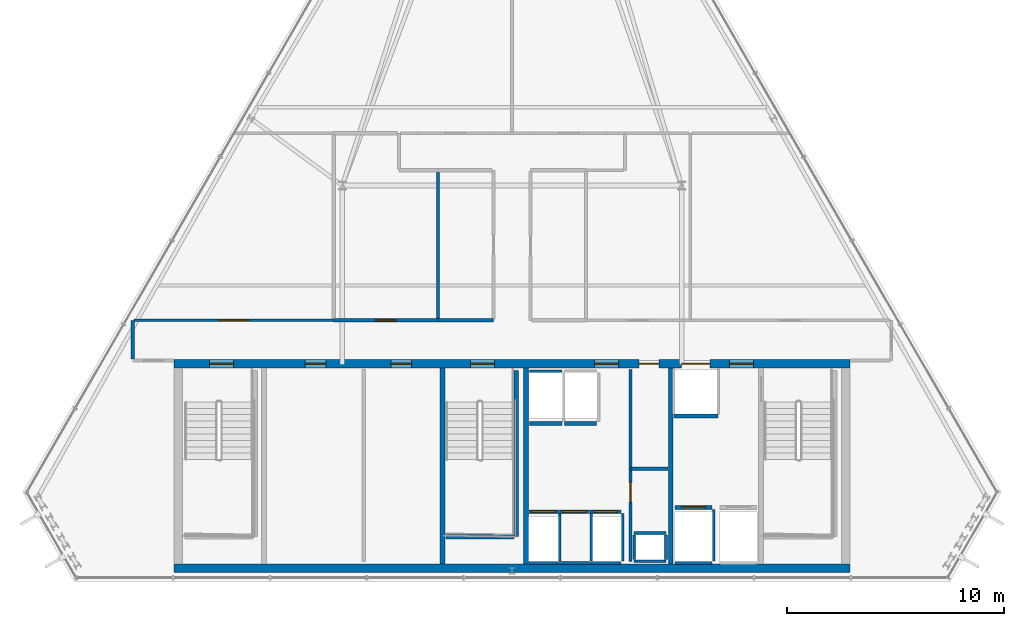
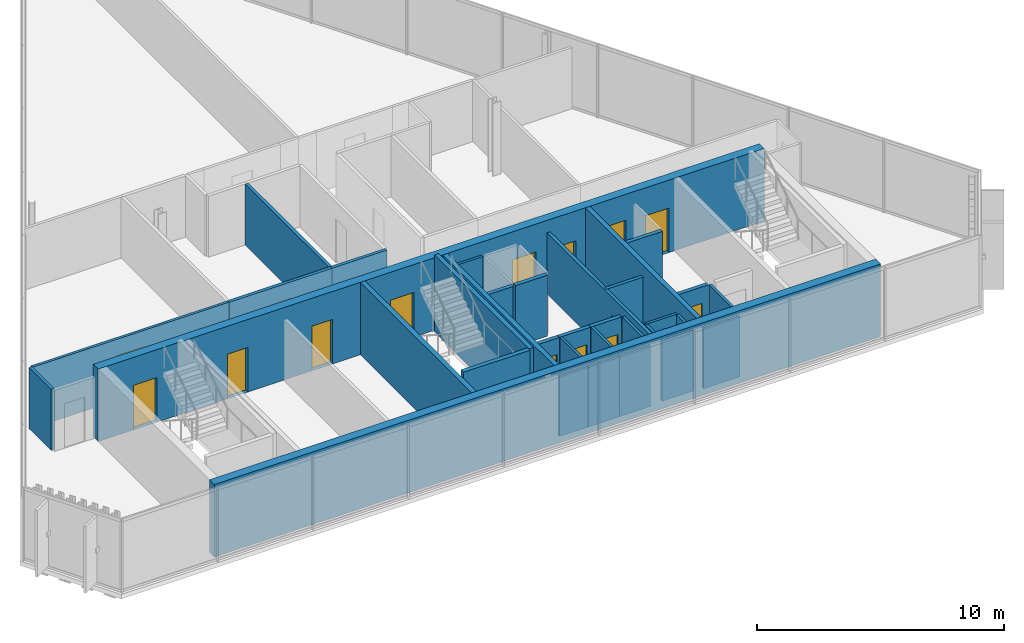
# One storey, part 27 of 32: 34 walls, 15 doors, 15 openings.
"""IFC4 building model written with IfcOpenShell, lengths in metres."""

from ifc_helpers import new_model, si_unit, direction, frame, frame_2d, origin, place, context, subcontext, project, spatial, rectangle, extrude, material, layer, layer_set, type_object, element, fill, save


model = new_model("IFC4")

# Units and contexts
model_context = context("Model", 3, precision=1e-05, world=origin(), true_north=direction((0.0, 1.0)))
body_context = subcontext(model_context, "Body", "Model", "MODEL_VIEW")
ifc_project = project(units=[si_unit("LENGTHUNIT", "METRE"), si_unit("AREAUNIT", "SQUARE_METRE"), si_unit("VOLUMEUNIT", "CUBIC_METRE"), si_unit("PLANEANGLEUNIT", "RADIAN"), si_unit("MASSUNIT", "GRAM", prefix="KILO")], contexts=[model_context])

# Site, building, storey
site_placement = place(None, origin())
site = spatial("IfcSite", under=ifc_project, at=site_placement, CompositionType="ELEMENT")
building_placement = place(site_placement, origin())
building = spatial("IfcBuilding", under=site, at=building_placement, Name="Ndaravel Arena Tower", CompositionType="ELEMENT")
storey_placement = place(building_placement, frame((0.0, 0.0, 287.10009765625)))
storey = spatial("IfcBuildingStorey", under=building, at=storey_placement, Name="L70", CompositionType="ELEMENT", Elevation=287.10009765625)

# Wall, opening, door
ifc_material_1 = material(Name="Gypsum", Category="gypsum")
ifc_layer_1 = layer(ifc_material_1, 0.14990234375)
ifc_layer_set_1 = layer_set([ifc_layer_1], Name="Gypsum")
wall_type_1 = type_object("IfcWallType", Name="WALL-COMP-150", PredefinedType="PARTITIONING", material=ifc_layer_set_1)
wall_1_placement = place(storey_placement, frame((47.449951171875, 5.89990234375, 0.0), z_axis=(0.0, 0.0, 1.0), x_axis=(0.0, 1.0, 0.0)))
wall_1 = element("IfcWall", 1, at=wall_1_placement, inside=storey, type_object=wall_type_1, Name="L70 Core Riser Bay Partition", PredefinedType="PARTITIONING", context=body_context, shape_type="SweptSolid", body=[
    extrude(rectangle(XDim=8.85009765625, YDim=0.14990234375, at=frame_2d((4.425048828125, 0.0))), origin(), (0.0, 0.0, 1.0), 3.010498046875),
])
opening_1_placement = place(wall_1_placement, frame((2.75, 0.0, 0.0)))
opening_1 = element("IfcOpeningElement", 2, at=opening_1_placement, cuts=wall_1, Name="Opening RD-01", PredefinedType="OPENING", context=body_context, shape_type="SweptSolid", body=[
    extrude(rectangle(XDim=0.89990234375, YDim=2.10009765625, at=frame_2d((0.449951171875, 1.050048828125))), frame((0.0, 0.074951171875, 0.0), z_axis=(0.0, -1.0, 0.0), x_axis=(1.0, 0.0, 0.0)), (0.0, 0.0, 1.0), 0.14990234375),
])
ifc_material_2 = material(Name="Steel S355", Category="steel")
door_type_1 = type_object("IfcDoorType", Name="DT-08-RISER-900", OperationType="SINGLE_SWING_LEFT", PredefinedType="DOOR", material=ifc_material_2)
door_1_placement = place(opening_1_placement, origin())
door_1 = element("IfcDoor", 3, at=door_1_placement, inside=storey, type_object=door_type_1, Name="L70 Electrical Riser Door", OperationType="SINGLE_SWING_RIGHT", OverallHeight=2.10009765625, OverallWidth=0.89990234375, PredefinedType="DOOR", context=body_context, shape_type="SweptSolid", body=[
    extrude(rectangle(XDim=0.89990234375, YDim=2.10009765625, at=frame_2d((0.449951171875, 1.050048828125))), frame((0.0, 0.02490234375, 0.0), z_axis=(0.0, -1.0, 0.0), x_axis=(1.0, 0.0, 0.0)), (0.0, 0.0, 1.0), 0.050048828125),
])
fill(opening_1, door_1)

# Walls
wall_2_placement = place(storey_placement, frame((47.449951171875, 10.179931640625, 0.0), z_axis=(0.0, 0.0, 1.0), x_axis=(1.0, 0.0, 0.0)))
element("IfcWall", 4, at=wall_2_placement, inside=storey, type_object=wall_type_1, Name="L70 Core Riser Divider 1", PredefinedType="PARTITIONING", context=body_context, shape_type="SweptSolid", body=[
    extrude(rectangle(XDim=1.72998046875, YDim=0.14990234375, at=frame_2d((0.864990234375, 0.0))), origin(), (0.0, 0.0, 1.0), 3.010498046875),
])
ifc_material_3 = material(Name="Concrete C50/60", Category="concrete")
ifc_layer_2 = layer(ifc_material_3, 0.219970703125)
ifc_layer_set_2 = layer_set([ifc_layer_2], Name="Concrete C50/60")
wall_type_2 = type_object("IfcWallType", Name="WALL-CORE-220", PredefinedType="SOLIDWALL", material=ifc_layer_set_2)
for number, where, z_axis, x_axis, name in (
    (5, (38.800048828125, 5.800048828125, 0.0), (0.0, 0.0, 1.0), (0.0, 1.0, 0.0), "L70 Core Web Shear Wall 2"),
    (6, (42.64990234375, 5.800048828125, 0.0), (0.0, 0.0, 1.0), (0.0, 1.0, 0.0), "L70 Core Web Shear Wall 3"),
    (7, (49.300048828125, 5.800048828125, 0.0), (0.0, 0.0, 1.0), (0.0, 1.0, 0.0), "L70 Core Web Shear Wall 4"),
):
    element("IfcWall", number, at=place(storey_placement, frame(where, z_axis=z_axis, x_axis=x_axis)), inside=storey, type_object=wall_type_2, Name=name, PredefinedType="SOLIDWALL", context=body_context, shape_type="SweptSolid", body=[
        extrude(rectangle(XDim=9.0, YDim=0.219970703125, at=frame_2d((4.5, 0.0))), origin(), (0.0, 0.0, 1.0), 3.579833984375),
    ])

# Wall, openings, doors
ifc_material_4 = material(Name="Concrete C50/60", Category="concrete")
ifc_layer_3 = layer(ifc_material_4, 0.39990234375)
ifc_layer_set_3 = layer_set([ifc_layer_3], Name="Concrete C50/60")
wall_type_3 = type_object("IfcWallType", Name="WALL-CORE-400", PredefinedType="SOLIDWALL", material=ifc_layer_set_3)
wall_3_placement = place(storey_placement, frame((26.449951171875, 15.0, 0.0), z_axis=(0.0, 0.0, 1.0), x_axis=(1.0, 0.0, 0.0)))
wall_3 = element("IfcWall", 8, at=wall_3_placement, inside=storey, type_object=wall_type_3, Name="L70 Core North Shear Wall", PredefinedType="SOLIDWALL", context=body_context, shape_type="SweptSolid", body=[
    extrude(rectangle(XDim=31.10009765625, YDim=0.39990234375, at=frame_2d((15.550048828125, 0.0))), origin(), (0.0, 0.0, 1.0), 3.579833984375),
])
opening_2_placement = place(wall_3_placement, frame((1.64990234375, 0.0, 0.0)))
opening_2 = element("IfcOpeningElement", 9, at=opening_2_placement, cuts=wall_3, Name="Opening FD-01", PredefinedType="OPENING", context=body_context, shape_type="SweptSolid", body=[
    extrude(rectangle(XDim=1.10009765625, YDim=2.199951171875, at=frame_2d((0.550048828125, 1.10009765625))), frame((0.0, 0.199951171875, 0.0), z_axis=(0.0, -1.0, 0.0), x_axis=(1.0, 0.0, 0.0)), (0.0, 0.0, 1.0), 0.39990234375),
])
opening_3_placement = place(wall_3_placement, frame((13.64990234375, 0.0, 0.0)))
opening_3 = element("IfcOpeningElement", 10, at=opening_3_placement, cuts=wall_3, Name="Opening FD-01", PredefinedType="OPENING", context=body_context, shape_type="SweptSolid", body=[
    extrude(rectangle(XDim=1.10009765625, YDim=2.199951171875, at=frame_2d((0.550048828125, 1.10009765625))), frame((0.0, 0.199951171875, 0.0), z_axis=(0.0, -1.0, 0.0), x_axis=(1.0, 0.0, 0.0)), (0.0, 0.0, 1.0), 0.39990234375),
])
opening_4_placement = place(wall_3_placement, frame((25.550048828125, 0.0, 0.0)))
opening_4 = element("IfcOpeningElement", 11, at=opening_4_placement, cuts=wall_3, Name="Opening FD-01", PredefinedType="OPENING", context=body_context, shape_type="SweptSolid", body=[
    extrude(rectangle(XDim=1.10009765625, YDim=2.199951171875, at=frame_2d((0.550048828125, 1.10009765625))), frame((0.0, 0.199951171875, 0.0), z_axis=(0.0, -1.0, 0.0), x_axis=(1.0, 0.0, 0.0)), (0.0, 0.0, 1.0), 0.39990234375),
])
opening_5_placement = place(wall_3_placement, frame((19.35009765625, 0.0, 0.0)))
opening_5 = element("IfcOpeningElement", 12, at=opening_5_placement, cuts=wall_3, Name="Opening FD-01", PredefinedType="OPENING", context=body_context, shape_type="SweptSolid", body=[
    extrude(rectangle(XDim=1.10009765625, YDim=2.199951171875, at=frame_2d((0.550048828125, 1.10009765625))), frame((0.0, 0.199951171875, 0.0), z_axis=(0.0, -1.0, 0.0), x_axis=(1.0, 0.0, 0.0)), (0.0, 0.0, 1.0), 0.39990234375),
])
opening_6_placement = place(wall_3_placement, frame((21.39990234375, 0.0, 0.0)))
opening_6 = element("IfcOpeningElement", 13, at=opening_6_placement, cuts=wall_3, Name="Opening RD-01", PredefinedType="OPENING", context=body_context, shape_type="SweptSolid", body=[
    extrude(rectangle(XDim=0.89990234375, YDim=2.10009765625, at=frame_2d((0.449951171875, 1.050048828125))), frame((0.0, 0.199951171875, 0.0), z_axis=(0.0, -1.0, 0.0), x_axis=(1.0, 0.0, 0.0)), (0.0, 0.0, 1.0), 0.39990234375),
])
opening_7_placement = place(wall_3_placement, frame((6.0400390625, 0.0, 0.0)))
opening_7 = element("IfcOpeningElement", 14, at=opening_7_placement, cuts=wall_3, Name="Opening FD-03", PredefinedType="OPENING", context=body_context, shape_type="SweptSolid", body=[
    extrude(rectangle(XDim=0.949951171875, YDim=2.199951171875, at=frame_2d((0.47509765625, 1.10009765625))), frame((0.0, 0.199951171875, 0.0), z_axis=(0.0, -1.0, 0.0), x_axis=(1.0, 0.0, 0.0)), (0.0, 0.0, 1.0), 0.39990234375),
])
opening_8_placement = place(wall_3_placement, frame((9.989990234375, 0.0, 0.0)))
opening_8 = element("IfcOpeningElement", 15, at=opening_8_placement, cuts=wall_3, Name="Opening FD-03", PredefinedType="OPENING", context=body_context, shape_type="SweptSolid", body=[
    extrude(rectangle(XDim=0.949951171875, YDim=2.199951171875, at=frame_2d((0.47509765625, 1.10009765625))), frame((0.0, 0.199951171875, 0.0), z_axis=(0.0, -1.0, 0.0), x_axis=(1.0, 0.0, 0.0)), (0.0, 0.0, 1.0), 0.39990234375),
])
opening_9_placement = place(wall_3_placement, frame((23.35009765625, 0.0, 0.0)))
opening_9 = element("IfcOpeningElement", 16, at=opening_9_placement, cuts=wall_3, Name="Opening LD-02", PredefinedType="OPENING", context=body_context, shape_type="SweptSolid", body=[
    extrude(rectangle(XDim=1.300048828125, YDim=2.300048828125, at=frame_2d((0.64990234375, 1.14990234375))), frame((0.0, 0.199951171875, 0.0), z_axis=(0.0, -1.0, 0.0), x_axis=(1.0, 0.0, 0.0)), (0.0, 0.0, 1.0), 0.39990234375),
])
ifc_material_5 = material(Name="Steel S355", Category="steel")
door_type_2 = type_object("IfcDoorType", Name="DT-01-STAIR-1100", OperationType="SINGLE_SWING_LEFT", PredefinedType="DOOR", material=ifc_material_5)
door_2_placement = place(opening_2_placement, origin())
door_2 = element("IfcDoor", 17, at=door_2_placement, inside=storey, type_object=door_type_2, Name="L70 Exit Stair ST-1 Door", OperationType="SINGLE_SWING_LEFT", OverallHeight=2.199951171875, OverallWidth=1.10009765625, PredefinedType="DOOR", context=body_context, shape_type="SweptSolid", body=[
    extrude(rectangle(XDim=1.10009765625, YDim=2.199951171875, at=frame_2d((0.550048828125, 1.10009765625))), frame((0.0, 0.02490234375, 0.0), z_axis=(0.0, -1.0, 0.0), x_axis=(1.0, 0.0, 0.0)), (0.0, 0.0, 1.0), 0.050048828125),
])
fill(opening_2, door_2)
door_3_placement = place(opening_3_placement, origin())
door_3 = element("IfcDoor", 18, at=door_3_placement, inside=storey, type_object=door_type_2, Name="L70 Exit Stair ST-2 Door", OperationType="SINGLE_SWING_RIGHT", OverallHeight=2.199951171875, OverallWidth=1.10009765625, PredefinedType="DOOR", context=body_context, shape_type="SweptSolid", body=[
    extrude(rectangle(XDim=1.10009765625, YDim=2.199951171875, at=frame_2d((0.550048828125, 1.10009765625))), frame((0.0, 0.02490234375, 0.0), z_axis=(0.0, -1.0, 0.0), x_axis=(1.0, 0.0, 0.0)), (0.0, 0.0, 1.0), 0.050048828125),
])
fill(opening_3, door_3)
door_4_placement = place(opening_4_placement, origin())
door_4 = element("IfcDoor", 19, at=door_4_placement, inside=storey, type_object=door_type_2, Name="L70 Firefighting Lift Lobby Door", OperationType="SINGLE_SWING_RIGHT", OverallHeight=2.199951171875, OverallWidth=1.10009765625, PredefinedType="DOOR", context=body_context, shape_type="SweptSolid", body=[
    extrude(rectangle(XDim=1.10009765625, YDim=2.199951171875, at=frame_2d((0.550048828125, 1.10009765625))), frame((0.0, 0.02490234375, 0.0), z_axis=(0.0, -1.0, 0.0), x_axis=(1.0, 0.0, 0.0)), (0.0, 0.0, 1.0), 0.050048828125),
])
fill(opening_4, door_4)
door_5_placement = place(opening_5_placement, origin())
door_5 = element("IfcDoor", 20, at=door_5_placement, inside=storey, type_object=door_type_2, Name="L70 Express Lift Lobby Entry Door", OperationType="SINGLE_SWING_LEFT", OverallHeight=2.199951171875, OverallWidth=1.10009765625, PredefinedType="DOOR", context=body_context, shape_type="SweptSolid", body=[
    extrude(rectangle(XDim=1.10009765625, YDim=2.199951171875, at=frame_2d((0.550048828125, 1.10009765625))), frame((0.0, 0.02490234375, 0.0), z_axis=(0.0, -1.0, 0.0), x_axis=(1.0, 0.0, 0.0)), (0.0, 0.0, 1.0), 0.050048828125),
])
fill(opening_5, door_5)
ifc_material_6 = material(Name="Steel S355", Category="steel")
door_type_3 = type_object("IfcDoorType", Name="DT-07-SVLIFT-1300", OperationType="DOUBLE_DOOR_SLIDING", PredefinedType="DOOR", material=ifc_material_6)
door_6_placement = place(opening_9_placement, origin())
door_6 = element("IfcDoor", 21, at=door_6_placement, inside=storey, type_object=door_type_3, Name="L70 Lift SVL-1 Sliding Landing Door", OperationType="DOUBLE_DOOR_SLIDING", OverallHeight=2.300048828125, OverallWidth=1.300048828125, PredefinedType="DOOR", context=body_context, shape_type="SweptSolid", body=[
    extrude(rectangle(XDim=1.300048828125, YDim=2.300048828125, at=frame_2d((0.64990234375, 1.14990234375))), frame((0.0, 0.02490234375, 0.0), z_axis=(0.0, -1.0, 0.0), x_axis=(1.0, 0.0, 0.0)), (0.0, 0.0, 1.0), 0.050048828125),
])
fill(opening_9, door_6)
door_7_placement = place(opening_6_placement, origin())
door_7 = element("IfcDoor", 22, at=door_7_placement, inside=storey, type_object=door_type_1, Name="L70 Core Service Riser North Door", OperationType="SINGLE_SWING_LEFT", OverallHeight=2.10009765625, OverallWidth=0.89990234375, PredefinedType="DOOR", context=body_context, shape_type="SweptSolid", body=[
    extrude(rectangle(XDim=0.89990234375, YDim=2.10009765625, at=frame_2d((0.449951171875, 1.050048828125))), frame((0.0, 0.02490234375, 0.0), z_axis=(0.0, -1.0, 0.0), x_axis=(1.0, 0.0, 0.0)), (0.0, 0.0, 1.0), 0.050048828125),
])
fill(opening_6, door_7)
ifc_material_7 = material(Name="Steel S355", Category="steel")
door_type_4 = type_object("IfcDoorType", Name="DT-11-CORE-950", OperationType="SINGLE_SWING_LEFT", PredefinedType="DOOR", material=ifc_material_7)
door_8_placement = place(opening_7_placement, origin())
door_8 = element("IfcDoor", 23, at=door_8_placement, inside=storey, type_object=door_type_4, Name="L70 High-Zone Reclaimed Core Room 1 Door", OperationType="SINGLE_SWING_LEFT", OverallHeight=2.199951171875, OverallWidth=0.949951171875, PredefinedType="DOOR", context=body_context, shape_type="SweptSolid", body=[
    extrude(rectangle(XDim=0.949951171875, YDim=2.199951171875, at=frame_2d((0.47509765625, 1.10009765625))), frame((0.0, 0.02490234375, 0.0), z_axis=(0.0, -1.0, 0.0), x_axis=(1.0, 0.0, 0.0)), (0.0, 0.0, 1.0), 0.050048828125),
])
fill(opening_7, door_8)
door_9_placement = place(opening_8_placement, origin())
door_9 = element("IfcDoor", 24, at=door_9_placement, inside=storey, type_object=door_type_4, Name="L70 High-Zone Reclaimed Core Room 2 Door", OperationType="SINGLE_SWING_RIGHT", OverallHeight=2.199951171875, OverallWidth=0.949951171875, PredefinedType="DOOR", context=body_context, shape_type="SweptSolid", body=[
    extrude(rectangle(XDim=0.949951171875, YDim=2.199951171875, at=frame_2d((0.47509765625, 1.10009765625))), frame((0.0, 0.02490234375, 0.0), z_axis=(0.0, -1.0, 0.0), x_axis=(1.0, 0.0, 0.0)), (0.0, 0.0, 1.0), 0.050048828125),
])
fill(opening_8, door_9)

# Wall
wall_4_placement = place(storey_placement, frame((26.449951171875, 5.60009765625, 0.0), z_axis=(0.0, 0.0, 1.0), x_axis=(1.0, 0.0, 0.0)))
element("IfcWall", 25, at=wall_4_placement, inside=storey, type_object=wall_type_3, Name="L70 Core South Shear Wall", PredefinedType="SOLIDWALL", context=body_context, shape_type="SweptSolid", body=[
    extrude(rectangle(XDim=31.10009765625, YDim=0.39990234375, at=frame_2d((15.550048828125, 0.0))), origin(), (0.0, 0.0, 1.0), 3.579833984375),
])

# Wall, opening, door
ifc_material_8 = material(Name="Gypsum", Category="gypsum")
ifc_layer_4 = layer(ifc_material_8, 0.125)
ifc_layer_set_4 = layer_set([ifc_layer_4], Name="Gypsum")
wall_type_4 = type_object("IfcWallType", Name="WALL-PART-125", PredefinedType="PARTITIONING", material=ifc_layer_set_4)
wall_5_placement = place(storey_placement, frame((24.631103515625, 17.0, 0.0), z_axis=(0.0, 0.0, 1.0), x_axis=(1.0, 0.0, 0.0)))
wall_5 = element("IfcWall", 26, at=wall_5_placement, inside=storey, type_object=wall_type_4, Name="L70 Interior Partition 005", PredefinedType="PARTITIONING", context=body_context, shape_type="SweptSolid", body=[
    extrude(rectangle(XDim=9.1689453125, YDim=0.125, at=frame_2d((4.58447265625, 0.0))), origin(), (0.0, 0.0, 1.0), 3.010498046875),
])
opening_10_placement = place(wall_5_placement, frame((3.884521484375, 0.0, 0.0)))
opening_10 = element("IfcOpeningElement", 27, at=opening_10_placement, cuts=wall_5, Name="Opening ID-02", PredefinedType="OPENING", context=body_context, shape_type="SweptSolid", body=[
    extrude(rectangle(XDim=1.39990234375, YDim=2.199951171875, at=frame_2d((0.699951171875, 1.10009765625))), frame((0.0, 0.0625, 0.0), z_axis=(0.0, -1.0, 0.0), x_axis=(1.0, 0.0, 0.0)), (0.0, 0.0, 1.0), 0.125),
])
ifc_material_9 = material(Name="Timber", Category="wood")
door_type_5 = type_object("IfcDoorType", Name="DT-04-SUITE-1400", OperationType="DOUBLE_DOOR_SINGLE_SWING", PredefinedType="DOOR", material=ifc_material_9)
door_10_placement = place(opening_10_placement, origin())
door_10 = element("IfcDoor", 28, at=door_10_placement, inside=storey, type_object=door_type_5, Name="L70 Visitor Reception Desk Door", OperationType="SINGLE_SWING_LEFT", OverallHeight=2.199951171875, OverallWidth=1.39990234375, PredefinedType="DOOR", context=body_context, shape_type="SweptSolid", body=[
    extrude(rectangle(XDim=1.39990234375, YDim=2.199951171875, at=frame_2d((0.699951171875, 1.10009765625))), frame((0.0, 0.02490234375, 0.0), z_axis=(0.0, -1.0, 0.0), x_axis=(1.0, 0.0, 0.0)), (0.0, 0.0, 1.0), 0.050048828125),
])
fill(opening_10, door_10)

# Walls
ifc_material_10 = material(Name="Concrete C40/50", Category="concrete")
ifc_layer_5 = layer(ifc_material_10, 0.1201171875)
ifc_layer_set_5 = layer_set([ifc_layer_5], Name="Concrete C40/50")
wall_type_5 = type_object("IfcWallType", Name="WALL-SHAFT-120", PredefinedType="SOLIDWALL", material=ifc_layer_set_5)
for number, where, z_axis, x_axis, name in (
    (29, (47.6201171875, 5.919921875, 0.0), (0.0, 0.0, 1.0), (1.0, 0.0, 0.0), "L70 MEP Riser Shaft S Wall"),
    (30, (47.6201171875, 7.219970703125, 0.0), (0.0, 0.0, 1.0), (1.0, 0.0, 0.0), "L70 MEP Riser Shaft N Wall"),
):
    element("IfcWall", number, at=place(storey_placement, frame(where, z_axis=z_axis, x_axis=x_axis)), inside=storey, type_object=wall_type_5, Name=name, PredefinedType="SOLIDWALL", context=body_context, shape_type="SweptSolid", body=[
        extrude(rectangle(XDim=1.4599609375, YDim=0.1201171875, at=frame_2d((0.72998046875, 0.0))), origin(), (0.0, 0.0, 1.0), 3.010498046875),
    ])
for number, where, z_axis, x_axis, name in (
    (31, (47.6201171875, 6.0, 0.0), (0.0, 0.0, 1.0), (0.0, 1.0, 0.0), "L70 MEP Riser Shaft W Wall"),
    (32, (49.080078125, 6.0, 0.0), (0.0, 0.0, 1.0), (0.0, 1.0, 0.0), "L70 MEP Riser Shaft E Wall"),
):
    element("IfcWall", number, at=place(storey_placement, frame(where, z_axis=z_axis, x_axis=x_axis)), inside=storey, type_object=wall_type_5, Name=name, PredefinedType="SOLIDWALL", context=body_context, shape_type="SweptSolid", body=[
        extrude(rectangle(XDim=1.139892578125, YDim=0.1201171875, at=frame_2d((0.56982421875, 0.0))), origin(), (0.0, 0.0, 1.0), 3.010498046875),
    ])
wall_6_placement = place(storey_placement, frame((42.780029296875, 5.840087890625, 0.0), z_axis=(0.0, 0.0, 1.0), x_axis=(1.0, 0.0, 0.0)))
element("IfcWall", 33, at=wall_6_placement, inside=storey, type_object=wall_type_5, Name="L70 PL-H1 Shaft Rear Wall", PredefinedType="SOLIDWALL", context=body_context, shape_type="SweptSolid", body=[
    extrude(rectangle(XDim=1.340087890625, YDim=0.1201171875, at=frame_2d((0.669921875, 0.0))), origin(), (0.0, 0.0, 1.0), 3.010498046875),
])
wall_7_placement = place(storey_placement, frame((44.199951171875, 5.929931640625, 0.0), z_axis=(0.0, 0.0, 1.0), x_axis=(0.0, 1.0, 0.0)))
element("IfcWall", 34, at=wall_7_placement, inside=storey, type_object=wall_type_5, Name="L70 PL-H1 Shaft Side R Wall", PredefinedType="SOLIDWALL", context=body_context, shape_type="SweptSolid", body=[
    extrude(rectangle(XDim=2.18017578125, YDim=0.1201171875, at=frame_2d((1.090087890625, 0.0))), origin(), (0.0, 0.0, 1.0), 3.010498046875),
])
wall_8_placement = place(storey_placement, frame((44.1298828125, 5.840087890625, 0.0), z_axis=(0.0, 0.0, 1.0), x_axis=(1.0, 0.0, 0.0)))
element("IfcWall", 35, at=wall_8_placement, inside=storey, type_object=wall_type_5, Name="L70 PL-H2 Shaft Rear Wall", PredefinedType="SOLIDWALL", context=body_context, shape_type="SweptSolid", body=[
    extrude(rectangle(XDim=1.440185546875, YDim=0.1201171875, at=frame_2d((0.72021484375, 0.0))), origin(), (0.0, 0.0, 1.0), 3.010498046875),
])
wall_9_placement = place(storey_placement, frame((45.64990234375, 5.929931640625, 0.0), z_axis=(0.0, 0.0, 1.0), x_axis=(0.0, 1.0, 0.0)))
element("IfcWall", 36, at=wall_9_placement, inside=storey, type_object=wall_type_5, Name="L70 PL-H2 Shaft Side R Wall", PredefinedType="SOLIDWALL", context=body_context, shape_type="SweptSolid", body=[
    extrude(rectangle(XDim=2.18017578125, YDim=0.1201171875, at=frame_2d((1.090087890625, 0.0))), origin(), (0.0, 0.0, 1.0), 3.010498046875),
])
wall_10_placement = place(storey_placement, frame((45.580078125, 5.840087890625, 0.0), z_axis=(0.0, 0.0, 1.0), x_axis=(1.0, 0.0, 0.0)))
element("IfcWall", 37, at=wall_10_placement, inside=storey, type_object=wall_type_5, Name="L70 PL-H3 Shaft Rear Wall", PredefinedType="SOLIDWALL", context=body_context, shape_type="SweptSolid", body=[
    extrude(rectangle(XDim=1.43994140625, YDim=0.1201171875, at=frame_2d((0.719970703125, 0.0))), origin(), (0.0, 0.0, 1.0), 3.010498046875),
])
wall_11_placement = place(storey_placement, frame((47.10009765625, 5.929931640625, 0.0), z_axis=(0.0, 0.0, 1.0), x_axis=(0.0, 1.0, 0.0)))
element("IfcWall", 38, at=wall_11_placement, inside=storey, type_object=wall_type_5, Name="L70 PL-H3 Shaft Side R Wall", PredefinedType="SOLIDWALL", context=body_context, shape_type="SweptSolid", body=[
    extrude(rectangle(XDim=2.18017578125, YDim=0.1201171875, at=frame_2d((1.090087890625, 0.0))), origin(), (0.0, 0.0, 1.0), 3.010498046875),
])
wall_12_placement = place(storey_placement, frame((42.804931640625, 14.659912109375, 0.0), z_axis=(0.0, 0.0, 1.0), x_axis=(1.0, 0.0, 0.0)))
element("IfcWall", 39, at=wall_12_placement, inside=storey, type_object=wall_type_5, Name="L70 PL-OBS1 Shaft Rear Wall", PredefinedType="SOLIDWALL", context=body_context, shape_type="SweptSolid", body=[
    extrude(rectangle(XDim=1.489990234375, YDim=0.1201171875, at=frame_2d((0.7451171875, 0.0))), origin(), (0.0, 0.0, 1.0), 3.010498046875),
])
wall_13_placement = place(storey_placement, frame((49.5048828125, 5.840087890625, 0.0), z_axis=(0.0, 0.0, 1.0), x_axis=(1.0, 0.0, 0.0)))
element("IfcWall", 40, at=wall_13_placement, inside=storey, type_object=wall_type_5, Name="L70 FFL-1 Shaft Rear Wall", PredefinedType="SOLIDWALL", context=body_context, shape_type="SweptSolid", body=[
    extrude(rectangle(XDim=1.690185546875, YDim=0.1201171875, at=frame_2d((0.84521484375, 0.0))), origin(), (0.0, 0.0, 1.0), 3.010498046875),
])
wall_14_placement = place(storey_placement, frame((51.27490234375, 5.929931640625, 0.0), z_axis=(0.0, 0.0, 1.0), x_axis=(0.0, 1.0, 0.0)))
element("IfcWall", 41, at=wall_14_placement, inside=storey, type_object=wall_type_5, Name="L70 FFL-1 Shaft Side R Wall", PredefinedType="SOLIDWALL", context=body_context, shape_type="SweptSolid", body=[
    extrude(rectangle(XDim=2.380126953125, YDim=0.1201171875, at=frame_2d((1.18994140625, 0.0))), origin(), (0.0, 0.0, 1.0), 3.010498046875),
])
ifc_material_11 = material(Name="Concrete C40/50", Category="concrete")
ifc_layer_6 = layer(ifc_material_11, 0.199951171875)
ifc_layer_set_6 = layer_set([ifc_layer_6], Name="Concrete C40/50")
wall_type_6 = type_object("IfcWallType", Name="WALL-SHAFT-200", PredefinedType="SOLIDWALL", material=ifc_layer_set_6)
wall_15_placement = place(storey_placement, frame((42.18994140625, 14.699951171875, 0.0), z_axis=(0.0, 0.0, 1.0), x_axis=(0.0, -1.0, 0.0)))
element("IfcWall", 42, at=wall_15_placement, inside=storey, type_object=wall_type_6, Name="L70 ST-2 Structural Shaft Wall Right", PredefinedType="SOLIDWALL", context=body_context, shape_type="SweptSolid", body=[
    extrude(rectangle(XDim=7.64990234375, YDim=0.199951171875, at=frame_2d((3.824951171875, 0.0))), origin(), (0.0, 0.0, 1.0), 3.7998046875),
])
wall_16_placement = place(storey_placement, frame((38.969970703125, 7.050048828125, 0.0), z_axis=(0.0, 0.0, 1.0), x_axis=(1.0, 0.0, 0.0)))
element("IfcWall", 43, at=wall_16_placement, inside=storey, type_object=wall_type_6, Name="L70 ST-2 Structural Shaft Wall Far", PredefinedType="SOLIDWALL", context=body_context, shape_type="SweptSolid", body=[
    extrude(rectangle(XDim=3.114990234375, YDim=0.199951171875, at=frame_2d((1.5576171875, 0.0))), origin(), (0.0, 0.0, 1.0), 3.7998046875),
])

# Wall, opening, door
wall_17_placement = place(storey_placement, frame((42.780029296875, 8.199951171875, 0.0), z_axis=(0.0, 0.0, 1.0), x_axis=(1.0, 0.0, 0.0)))
wall_17 = element("IfcWall", 44, at=wall_17_placement, inside=storey, type_object=wall_type_6, Name="L70 PL-H1 Shaft Landing Wall", PredefinedType="SOLIDWALL", context=body_context, shape_type="SweptSolid", body=[
    extrude(rectangle(XDim=1.340087890625, YDim=0.179931640625, at=frame_2d((0.669921875, 0.0))), origin(), (0.0, 0.0, 1.0), 3.010498046875),
])
opening_11_placement = place(wall_17_placement, frame((0.1201171875, 0.0, 0.0)))
opening_11 = element("IfcOpeningElement", 45, at=opening_11_placement, cuts=wall_17, Name="Opening LD-01", PredefinedType="OPENING", context=body_context, shape_type="SweptSolid", body=[
    extrude(rectangle(XDim=1.10009765625, YDim=2.199951171875, at=frame_2d((0.550048828125, 1.10009765625))), frame((0.0, 0.08984375, 0.0), z_axis=(0.0, -1.0, 0.0), x_axis=(1.0, 0.0, 0.0)), (0.0, 0.0, 1.0), 0.179931640625),
])
ifc_material_12 = material(Name="Steel S355", Category="steel")
door_type_6 = type_object("IfcDoorType", Name="DT-06-LIFT-1100", OperationType="SLIDING_TO_LEFT", PredefinedType="DOOR", material=ifc_material_12)
door_11_placement = place(opening_11_placement, origin())
door_11 = element("IfcDoor", 46, at=door_11_placement, inside=storey, type_object=door_type_6, Name="L70 Lift PL-H1 Sliding Landing Door", OperationType="SLIDING_TO_LEFT", OverallHeight=2.199951171875, OverallWidth=1.10009765625, PredefinedType="DOOR", context=body_context, shape_type="SweptSolid", body=[
    extrude(rectangle(XDim=1.10009765625, YDim=2.199951171875, at=frame_2d((0.550048828125, 1.10009765625))), frame((0.0, 0.02490234375, 0.0), z_axis=(0.0, -1.0, 0.0), x_axis=(1.0, 0.0, 0.0)), (0.0, 0.0, 1.0), 0.050048828125),
])
fill(opening_11, door_11)

wall_18_placement = place(storey_placement, frame((44.1298828125, 8.199951171875, 0.0), z_axis=(0.0, 0.0, 1.0), x_axis=(1.0, 0.0, 0.0)))
wall_18 = element("IfcWall", 47, at=wall_18_placement, inside=storey, type_object=wall_type_6, Name="L70 PL-H2 Shaft Landing Wall", PredefinedType="SOLIDWALL", context=body_context, shape_type="SweptSolid", body=[
    extrude(rectangle(XDim=1.440185546875, YDim=0.179931640625, at=frame_2d((0.72021484375, 0.0))), origin(), (0.0, 0.0, 1.0), 3.010498046875),
])
opening_12_placement = place(wall_18_placement, frame((0.169921875, 0.0, 0.0)))
opening_12 = element("IfcOpeningElement", 48, at=opening_12_placement, cuts=wall_18, Name="Opening LD-01", PredefinedType="OPENING", context=body_context, shape_type="SweptSolid", body=[
    extrude(rectangle(XDim=1.10009765625, YDim=2.199951171875, at=frame_2d((0.550048828125, 1.10009765625))), frame((0.0, 0.08984375, 0.0), z_axis=(0.0, -1.0, 0.0), x_axis=(1.0, 0.0, 0.0)), (0.0, 0.0, 1.0), 0.179931640625),
])
door_12_placement = place(opening_12_placement, origin())
door_12 = element("IfcDoor", 49, at=door_12_placement, inside=storey, type_object=door_type_6, Name="L70 Lift PL-H2 Sliding Landing Door", OperationType="SLIDING_TO_LEFT", OverallHeight=2.199951171875, OverallWidth=1.10009765625, PredefinedType="DOOR", context=body_context, shape_type="SweptSolid", body=[
    extrude(rectangle(XDim=1.10009765625, YDim=2.199951171875, at=frame_2d((0.550048828125, 1.10009765625))), frame((0.0, 0.02490234375, 0.0), z_axis=(0.0, -1.0, 0.0), x_axis=(1.0, 0.0, 0.0)), (0.0, 0.0, 1.0), 0.050048828125),
])
fill(opening_12, door_12)

wall_19_placement = place(storey_placement, frame((45.580078125, 8.199951171875, 0.0), z_axis=(0.0, 0.0, 1.0), x_axis=(1.0, 0.0, 0.0)))
wall_19 = element("IfcWall", 50, at=wall_19_placement, inside=storey, type_object=wall_type_6, Name="L70 PL-H3 Shaft Landing Wall", PredefinedType="SOLIDWALL", context=body_context, shape_type="SweptSolid", body=[
    extrude(rectangle(XDim=1.43994140625, YDim=0.179931640625, at=frame_2d((0.719970703125, 0.0))), origin(), (0.0, 0.0, 1.0), 3.010498046875),
])
opening_13_placement = place(wall_19_placement, frame((0.169921875, 0.0, 0.0)))
opening_13 = element("IfcOpeningElement", 51, at=opening_13_placement, cuts=wall_19, Name="Opening LD-01", PredefinedType="OPENING", context=body_context, shape_type="SweptSolid", body=[
    extrude(rectangle(XDim=1.10009765625, YDim=2.199951171875, at=frame_2d((0.550048828125, 1.10009765625))), frame((0.0, 0.08984375, 0.0), z_axis=(0.0, -1.0, 0.0), x_axis=(1.0, 0.0, 0.0)), (0.0, 0.0, 1.0), 0.179931640625),
])
door_13_placement = place(opening_13_placement, origin())
door_13 = element("IfcDoor", 52, at=door_13_placement, inside=storey, type_object=door_type_6, Name="L70 Lift PL-H3 Sliding Landing Door", OperationType="SLIDING_TO_LEFT", OverallHeight=2.199951171875, OverallWidth=1.10009765625, PredefinedType="DOOR", context=body_context, shape_type="SweptSolid", body=[
    extrude(rectangle(XDim=1.10009765625, YDim=2.199951171875, at=frame_2d((0.550048828125, 1.10009765625))), frame((0.0, 0.02490234375, 0.0), z_axis=(0.0, -1.0, 0.0), x_axis=(1.0, 0.0, 0.0)), (0.0, 0.0, 1.0), 0.050048828125),
])
fill(opening_13, door_13)

# Walls
for number, where, z_axis, x_axis, name in (
    (53, (42.804931640625, 12.25, 0.0), (0.0, 0.0, 1.0), (1.0, 0.0, 0.0), "L70 PL-OBS1 Shaft Landing Wall"),
    (54, (44.405029296875, 12.25, 0.0), (0.0, 0.0, 1.0), (1.0, 0.0, 0.0), "L70 PL-OBS2 Shaft Landing Wall"),
):
    element("IfcWall", number, at=place(storey_placement, frame(where, z_axis=z_axis, x_axis=x_axis)), inside=storey, type_object=wall_type_6, Name=name, PredefinedType="SOLIDWALL", context=body_context, shape_type="SweptSolid", body=[
        extrude(rectangle(XDim=1.489990234375, YDim=0.179931640625, at=frame_2d((0.7451171875, 0.0))), origin(), (0.0, 0.0, 1.0), 3.010498046875),
    ])

# Wall, opening, door
wall_20_placement = place(storey_placement, frame((49.5048828125, 8.39990234375, 0.0), z_axis=(0.0, 0.0, 1.0), x_axis=(1.0, 0.0, 0.0)))
wall_20 = element("IfcWall", 55, at=wall_20_placement, inside=storey, type_object=wall_type_6, Name="L70 FFL-1 Shaft Landing Wall", PredefinedType="SOLIDWALL", context=body_context, shape_type="SweptSolid", body=[
    extrude(rectangle(XDim=1.690185546875, YDim=0.179931640625, at=frame_2d((0.84521484375, 0.0))), origin(), (0.0, 0.0, 1.0), 3.010498046875),
])
opening_14_placement = place(wall_20_placement, frame((0.294921875, 0.0, 0.0)))
opening_14 = element("IfcOpeningElement", 56, at=opening_14_placement, cuts=wall_20, Name="Opening LD-01", PredefinedType="OPENING", context=body_context, shape_type="SweptSolid", body=[
    extrude(rectangle(XDim=1.10009765625, YDim=2.199951171875, at=frame_2d((0.550048828125, 1.10009765625))), frame((0.0, 0.08984375, 0.0), z_axis=(0.0, -1.0, 0.0), x_axis=(1.0, 0.0, 0.0)), (0.0, 0.0, 1.0), 0.179931640625),
])
door_14_placement = place(opening_14_placement, origin())
door_14 = element("IfcDoor", 57, at=door_14_placement, inside=storey, type_object=door_type_6, Name="L70 Lift FFL-1 Sliding Landing Door", OperationType="SLIDING_TO_LEFT", OverallHeight=2.199951171875, OverallWidth=1.10009765625, PredefinedType="DOOR", context=body_context, shape_type="SweptSolid", body=[
    extrude(rectangle(XDim=1.10009765625, YDim=2.199951171875, at=frame_2d((0.550048828125, 1.10009765625))), frame((0.0, 0.02490234375, 0.0), z_axis=(0.0, -1.0, 0.0), x_axis=(1.0, 0.0, 0.0)), (0.0, 0.0, 1.0), 0.050048828125),
])
fill(opening_14, door_14)

# Walls
wall_21_placement = place(storey_placement, frame((49.43994140625, 12.594970703125, 0.0), z_axis=(0.0, 0.0, 1.0), x_axis=(1.0, 0.0, 0.0)))
element("IfcWall", 58, at=wall_21_placement, inside=storey, type_object=wall_type_6, Name="L70 SVL-1 Shaft South Wall", PredefinedType="SOLIDWALL", context=body_context, shape_type="SweptSolid", body=[
    extrude(rectangle(XDim=2.0400390625, YDim=0.179931640625, at=frame_2d((1.02001953125, 0.0))), origin(), (0.0, 0.0, 1.0), 3.010498046875),
])
ifc_material_13 = material(Name="Masonry", Category="masonry")
ifc_layer_7 = layer(ifc_material_13, 0.14990234375)
ifc_layer_set_7 = layer_set([ifc_layer_7], Name="Masonry")
wall_type_7 = type_object("IfcWallType", Name="WALL-WET-150", PredefinedType="PARTITIONING", material=ifc_layer_set_7)
wall_22_placement = place(storey_placement, frame((24.56591796875, 15.215087890625, 0.0), z_axis=(0.0, 0.0, 1.0), x_axis=(0.0, 1.0, 0.0)))
element("IfcWall", 59, at=wall_22_placement, inside=storey, type_object=wall_type_7, Name="L70 Interior Partition 004", PredefinedType="PARTITIONING", context=body_context, shape_type="SweptSolid", body=[
    extrude(rectangle(XDim=1.784912109375, YDim=0.14990234375, at=frame_2d((0.892578125, 0.0))), origin(), (0.0, 0.0, 1.0), 3.010498046875),
])

# Wall, opening, door
wall_23_placement = place(storey_placement, frame((33.800048828125, 17.0, 0.0), z_axis=(0.0, 0.0, 1.0), x_axis=(1.0, 0.0, 0.0)))
wall_23 = element("IfcWall", 60, at=wall_23_placement, inside=storey, type_object=wall_type_7, Name="L70 Interior Partition 006", PredefinedType="PARTITIONING", context=body_context, shape_type="SweptSolid", body=[
    extrude(rectangle(XDim=4.800048828125, YDim=0.14990234375, at=frame_2d((2.39990234375, 0.0))), origin(), (0.0, 0.0, 1.0), 3.010498046875),
])
opening_15_placement = place(wall_23_placement, frame((1.925048828125, 0.0, 0.0)))
opening_15 = element("IfcOpeningElement", 61, at=opening_15_placement, cuts=wall_23, Name="Opening FD-03", PredefinedType="OPENING", context=body_context, shape_type="SweptSolid", body=[
    extrude(rectangle(XDim=0.949951171875, YDim=2.199951171875, at=frame_2d((0.47509765625, 1.10009765625))), frame((0.0, 0.074951171875, 0.0), z_axis=(0.0, -1.0, 0.0), x_axis=(1.0, 0.0, 0.0)), (0.0, 0.0, 1.0), 0.14990234375),
])
door_15_placement = place(opening_15_placement, origin())
door_15 = element("IfcDoor", 62, at=door_15_placement, inside=storey, type_object=door_type_4, Name="L70 Catering Pantry 2 Door", OperationType="SINGLE_SWING_LEFT", OverallHeight=2.199951171875, OverallWidth=0.949951171875, PredefinedType="DOOR", context=body_context, shape_type="SweptSolid", body=[
    extrude(rectangle(XDim=0.949951171875, YDim=2.199951171875, at=frame_2d((0.47509765625, 1.10009765625))), frame((0.0, 0.02490234375, 0.0), z_axis=(0.0, -1.0, 0.0), x_axis=(1.0, 0.0, 0.0)), (0.0, 0.0, 1.0), 0.050048828125),
])
fill(opening_15, door_15)

# Walls
wall_24_placement = place(storey_placement, frame((38.60009765625, 17.0, 0.0), z_axis=(0.0, 0.0, 1.0), x_axis=(1.0, 0.0, 0.0)))
element("IfcWall", 63, at=wall_24_placement, inside=storey, type_object=wall_type_7, Name="L70 Interior Partition 007", PredefinedType="PARTITIONING", context=body_context, shape_type="SweptSolid", body=[
    extrude(rectangle(XDim=2.5498046875, YDim=0.14990234375, at=frame_2d((1.27490234375, 0.0))), origin(), (0.0, 0.0, 1.0), 3.010498046875),
])
wall_25_placement = place(storey_placement, frame((38.60009765625, 17.06494140625, 0.0), z_axis=(0.0, 0.0, 1.0), x_axis=(0.0, 1.0, 0.0)))
element("IfcWall", 64, at=wall_25_placement, inside=storey, type_object=wall_type_7, Name="L70 Interior Partition 025", PredefinedType="PARTITIONING", context=body_context, shape_type="SweptSolid", body=[
    extrude(rectangle(XDim=6.77001953125, YDim=0.14990234375, at=frame_2d((3.385009765625, 0.0))), origin(), (0.0, 0.0, 1.0), 3.010498046875),
])

save(model, "model.ifc")
